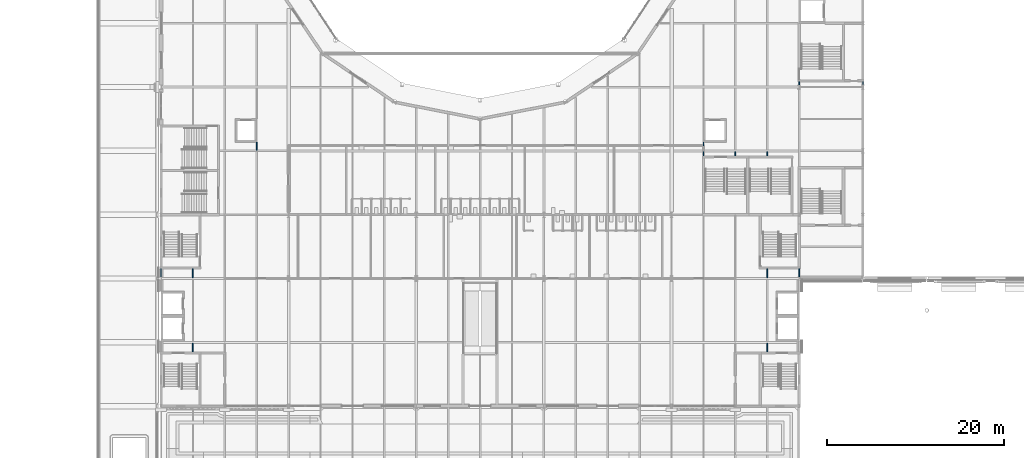
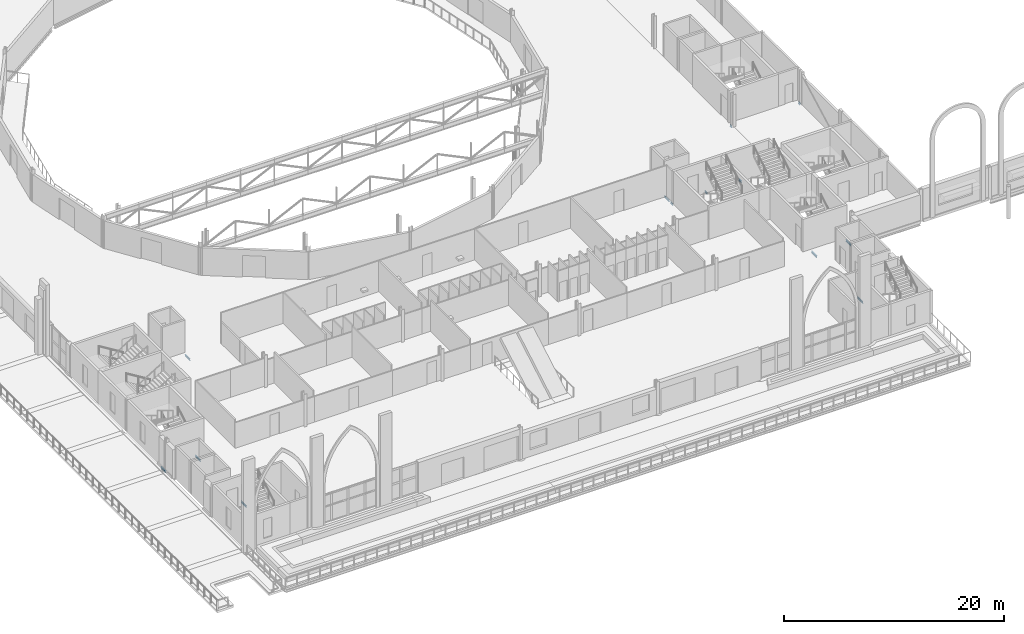
# One storey, part 60 of 143: 13 beams.
"""IFC4 building model written with IfcOpenShell, lengths in metres."""

from ifc_helpers import new_model, si_unit, direction, frame, origin, origin_2d, place, context, subcontext, project, spatial, i_section, extrude, material, material_profile, profile_set, type_object, element, save


model = new_model("IFC4")

# Units and contexts
model_context = context("Model", 3, precision=1e-05, world=origin(), true_north=direction((0.0, 1.0)))
body_context = subcontext(model_context, "Body", "Model", "MODEL_VIEW")
ifc_project = project(units=[si_unit("LENGTHUNIT", "METRE"), si_unit("AREAUNIT", "SQUARE_METRE"), si_unit("VOLUMEUNIT", "CUBIC_METRE"), si_unit("PLANEANGLEUNIT", "RADIAN"), si_unit("MASSUNIT", "GRAM", prefix="KILO")], contexts=[model_context])

# Site, building, storey
site_placement = place(None, origin())
site = spatial("IfcSite", under=ifc_project, at=site_placement, CompositionType="ELEMENT")
building_placement = place(site_placement, origin())
building = spatial("IfcBuilding", under=site, at=building_placement, Name="Kupolbacken Congress Centre", CompositionType="ELEMENT")
storey_placement = place(building_placement, frame((0.0, 0.0, 7.199951171875)))
storey = spatial("IfcBuildingStorey", under=building, at=storey_placement, Name="L02", CompositionType="ELEMENT", Elevation=7.199951171875)

# Beams
ifc_material = material(Name="Steel S355", Category="steel")
ifc_material_profile = material_profile(ifc_material, i_section(OverallWidth=0.10009765625, OverallDepth=0.199951171875, WebThickness=0.005615234375, FlangeThickness=0.008544921875, FilletRadius=0.011962890625, at=origin_2d()), Name="IPE 200")
ifc_profile_set = profile_set([ifc_material_profile], Name="Steel S355")
beam_type = type_object("IfcBeamType", Name="B01 beam IPE 200", PredefinedType="BEAM", material=ifc_profile_set)
for number, where, z_axis, x_axis, name in (
    (1, (7.199951171875, 43.35009765625, -0.280029296875), (0.0, 1.0, 0.0), (-1.0, 0.0, 0.0), "S/floor/F/L02/G004"),
    (2, (79.199951171875, 43.35009765625, -0.280029296875), (0.0, 1.0, 0.0), (-1.0, 0.0, 0.0), "S/floor/F/L02/G020"),
):
    element("IfcBeam", number, at=place(storey_placement, frame(where, z_axis=z_axis, x_axis=x_axis)), inside=storey, type_object=beam_type, Name=name, PredefinedType="BEAM", context=body_context, shape_type="SweptSolid", body=[
        extrude(i_section(OverallWidth=0.10009765625, OverallDepth=0.199951171875, WebThickness=0.005615234375, FlangeThickness=0.008544921875, FilletRadius=0.011962890625, at=origin_2d()), origin(), (0.0, 0.0, 1.0), 0.9248046875),
    ])
for number, where, z_axis, x_axis, name in (
    (3, (10.800048828125, 34.925048828125, -0.280029296875), (0.0, 1.0, 0.0), (-1.0, 0.0, 0.0), "S/floor/F/L02/S057"),
    (4, (10.800048828125, 43.31005859375, -0.280029296875), (0.0, 1.0, 0.0), (-1.0, 0.0, 0.0), "S/floor/F/L02/S059"),
    (5, (75.60009765625, 34.925048828125, -0.280029296875), (0.0, 1.0, 0.0), (-1.0, 0.0, 0.0), "S/floor/F/L02/S112"),
    (6, (75.60009765625, 43.31005859375, -0.280029296875), (0.0, 1.0, 0.0), (-1.0, 0.0, 0.0), "S/floor/F/L02/S114"),
):
    element("IfcBeam", number, at=place(storey_placement, frame(where, z_axis=z_axis, x_axis=x_axis)), inside=storey, type_object=beam_type, Name=name, PredefinedType="BEAM", context=body_context, shape_type="SweptSolid", body=[
        extrude(i_section(OverallWidth=0.10009765625, OverallDepth=0.199951171875, WebThickness=0.005615234375, FlangeThickness=0.008544921875, FilletRadius=0.011962890625, at=origin_2d()), origin(), (0.0, 0.0, 1.0), 0.96484375),
    ])
beam_1_placement = place(storey_placement, frame((79.199951171875, 65.02490234375, -0.280029296875), z_axis=(0.0, 1.0, 0.0), x_axis=(-1.0, 0.0, 0.0)))
element("IfcBeam", 7, at=beam_1_placement, inside=storey, type_object=beam_type, Name="S/floor/P/L02/G033", PredefinedType="BEAM", context=body_context, shape_type="SweptSolid", body=[
    extrude(i_section(OverallWidth=0.10009765625, OverallDepth=0.199951171875, WebThickness=0.005615234375, FlangeThickness=0.008544921875, FilletRadius=0.011962890625, at=origin_2d()), origin(), (0.0, 0.0, 1.0), 0.35009765625),
])
for number, where, z_axis, x_axis, name in (
    (8, (72.0, 57.02490234375, -0.280029296875), (0.0, 1.0, 0.0), (-1.0, 0.0, 0.0), "S/floor/P/L02/S140"),
    (9, (75.60009765625, 57.02490234375, -0.280029296875), (0.0, 1.0, 0.0), (-1.0, 0.0, 0.0), "S/floor/P/L02/S151"),
):
    element("IfcBeam", number, at=place(storey_placement, frame(where, z_axis=z_axis, x_axis=x_axis)), inside=storey, type_object=beam_type, Name=name, PredefinedType="BEAM", context=body_context, shape_type="SweptSolid", body=[
        extrude(i_section(OverallWidth=0.10009765625, OverallDepth=0.199951171875, WebThickness=0.005615234375, FlangeThickness=0.008544921875, FilletRadius=0.011962890625, at=origin_2d()), origin(), (0.0, 0.0, 1.0), 0.465087890625),
    ])
beam_2_placement = place(storey_placement, frame((18.0, 57.679931640625, -0.280029296875), z_axis=(0.0, 1.0, 0.0), x_axis=(-1.0, 0.0, 0.0)))
element("IfcBeam", 10, at=beam_2_placement, inside=storey, type_object=beam_type, Name="S/floor/P/L02/S162", PredefinedType="BEAM", context=body_context, shape_type="SweptSolid", body=[
    extrude(i_section(OverallWidth=0.10009765625, OverallDepth=0.199951171875, WebThickness=0.005615234375, FlangeThickness=0.008544921875, FilletRadius=0.011962890625, at=origin_2d()), origin(), (0.0, 0.0, 1.0), 0.920166015625),
])
beam_3_placement = place(storey_placement, frame((68.39990234375, 57.02490234375, -0.280029296875), z_axis=(0.0, 1.0, 0.0), x_axis=(-1.0, 0.0, 0.0)))
element("IfcBeam", 11, at=beam_3_placement, inside=storey, type_object=beam_type, Name="S/floor/P/L02/S165", PredefinedType="BEAM", context=body_context, shape_type="SweptSolid", body=[
    extrude(i_section(OverallWidth=0.10009765625, OverallDepth=0.199951171875, WebThickness=0.005615234375, FlangeThickness=0.008544921875, FilletRadius=0.011962890625, at=origin_2d()), origin(), (0.0, 0.0, 1.0), 0.465087890625),
])
beam_4_placement = place(storey_placement, frame((68.39990234375, 57.7099609375, -0.280029296875), z_axis=(0.0, 1.0, 0.0), x_axis=(-1.0, 0.0, 0.0)))
element("IfcBeam", 12, at=beam_4_placement, inside=storey, type_object=beam_type, Name="S/floor/P/L02/S166", PredefinedType="BEAM", context=body_context, shape_type="SweptSolid", body=[
    extrude(i_section(OverallWidth=0.10009765625, OverallDepth=0.199951171875, WebThickness=0.005615234375, FlangeThickness=0.008544921875, FilletRadius=0.011962890625, at=origin_2d()), origin(), (0.0, 0.0, 1.0), 0.89013671875),
])
beam_5_placement = place(storey_placement, frame((86.39990234375, 65.044921875, -0.280029296875), z_axis=(0.0, 1.0, 0.0), x_axis=(-1.0, 0.0, 0.0)))
element("IfcBeam", 13, at=beam_5_placement, inside=storey, type_object=beam_type, Name="S/floor/LINK/L02/E004", PredefinedType="BEAM", context=body_context, shape_type="SweptSolid", body=[
    extrude(i_section(OverallWidth=0.10009765625, OverallDepth=0.199951171875, WebThickness=0.005615234375, FlangeThickness=0.008544921875, FilletRadius=0.011962890625, at=origin_2d()), origin(), (0.0, 0.0, 1.0), 0.35498046875),
])

save(model, "model.ifc")
